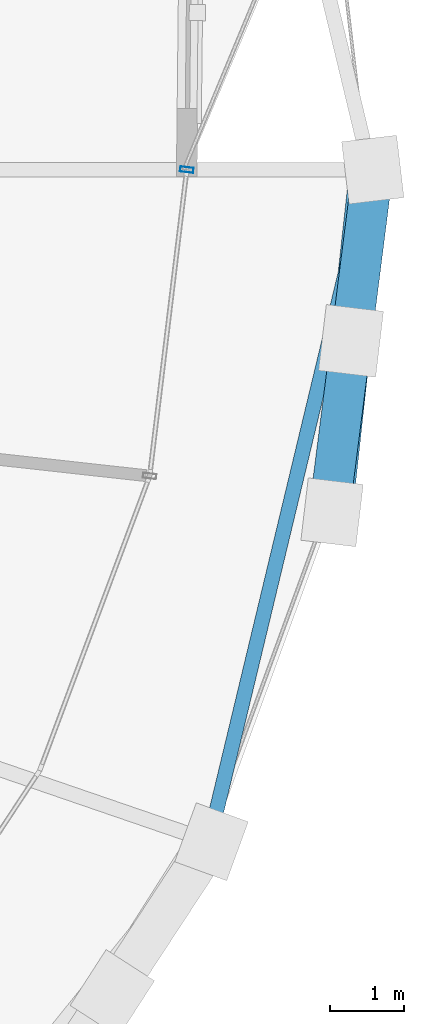
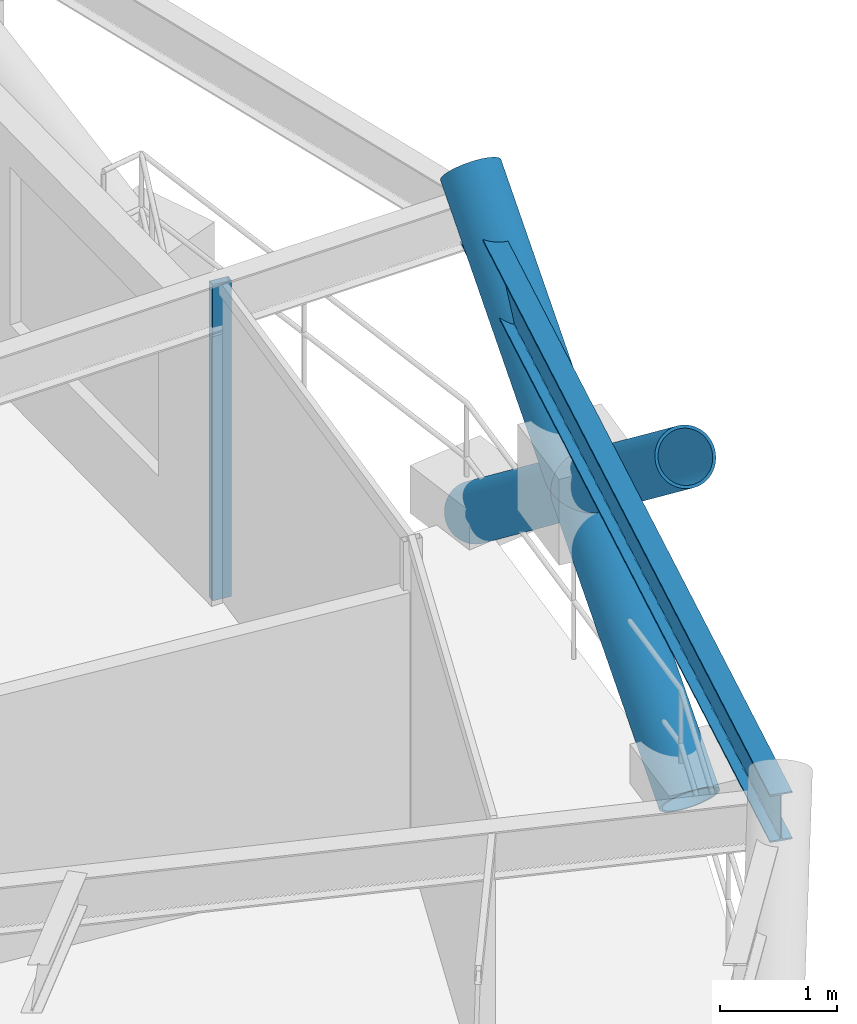
# One storey, part 10 of 20: 4 members, 1 beam, 1 element without a shape of its own.
"""IFC4 building model written with IfcOpenShell, lengths in metres."""

from ifc_helpers import new_model, si_unit, direction, frame, origin, origin_2d, place, context, subcontext, project, spatial, hollow_rectangle, hollow_circle, i_section, extrude, material, layer, layer_set, material_profile, profile_set, type_object, element, aggregate, save


model = new_model("IFC4")

# Units and contexts
model_context = context("Model", 3, precision=1e-05, world=origin(), true_north=direction((0.0, 1.0)))
body_context = subcontext(model_context, "Body", "Model", "MODEL_VIEW")
ifc_project = project(units=[si_unit("LENGTHUNIT", "METRE"), si_unit("AREAUNIT", "SQUARE_METRE"), si_unit("VOLUMEUNIT", "CUBIC_METRE"), si_unit("PLANEANGLEUNIT", "RADIAN"), si_unit("MASSUNIT", "GRAM", prefix="KILO")], contexts=[model_context])

# Site, building, storey
site_placement = place(None, origin())
site = spatial("IfcSite", under=ifc_project, at=site_placement, CompositionType="ELEMENT")
building_placement = place(site_placement, origin())
building = spatial("IfcBuilding", under=site, at=building_placement, Name="Veldorina Hangang Commons", CompositionType="ELEMENT")
storey_placement = place(building_placement, frame((0.0, 0.0, 117.199951171875)))
storey = spatial("IfcBuildingStorey", under=building, at=storey_placement, Name="L29", CompositionType="ELEMENT", Elevation=117.199951171875)

# Beam
ifc_material_1 = material(Name="Steel SM420-TMC", Category="steel")
ifc_material_profile_1 = material_profile(ifc_material_1, i_section(OverallWidth=0.199951171875, OverallDepth=0.5, WebThickness=0.010009765625, FlangeThickness=0.01611328125, FilletRadius=0.01611328125, at=origin_2d()), Name="H-500x200x10x16")
ifc_profile_set_1 = profile_set([ifc_material_profile_1], Name="Steel SM420-TMC")
beam_type = type_object("IfcBeamType", Name="BM-RB500", PredefinedType="BEAM", material=ifc_profile_set_1)
beam_placement = place(storey_placement, frame((58.489990234375, 14.9033203125, 3.10009765625), z_axis=(0.233313728746, 0.972401513768, 0.0), x_axis=(-0.972401513768, 0.233313728746, 0.0)))
element("IfcBeam", 1, at=beam_placement, inside=storey, type_object=beam_type, Name="L29 perimeter hoop ring beam 30", PredefinedType="BEAM", context=body_context, shape_type="SweptSolid", body=[
    extrude(i_section(OverallWidth=0.199951171875, OverallDepth=0.5, WebThickness=0.010009765625, FlangeThickness=0.01611328125, FilletRadius=0.01611328125, at=origin_2d()), origin(), (0.0, 0.0, 1.0), 9.35498046875),
])

# Curtain wall, member
ifc_material_2 = material(Name="Glass Low-E Triple IGU", Category="glass")
ifc_layer = layer(ifc_material_2, 0.179931640625)
ifc_layer_set = layer_set([ifc_layer], Name="Glass Low-E Triple IGU")
curtain_wall_type = type_object("IfcCurtainWallType", Name="CW-SYS-Z2", PredefinedType="NOTDEFINED", material=ifc_layer_set)
curtain_wall_placement = place(storey_placement, origin())
curtain_wall = element("IfcCurtainWall", 2, at=curtain_wall_placement, inside=storey, type_object=curtain_wall_type, Name="L29 unitised curtain wall CW-L29-R2", PredefinedType="NOTDEFINED")
ifc_material_3 = material(Name="Aluminium Anodized AA6063-T6", Category="aluminium")
ifc_material_profile_2 = material_profile(ifc_material_3, hollow_rectangle(XDim=0.070068359375, YDim=0.179931640625, WallThickness=0.00390625, at=origin_2d()), Name="ALU-RHS-180x70x4")
ifc_profile_set_2 = profile_set([ifc_material_profile_2], Name="Aluminium Anodized AA6063-T6")
member_type_1 = type_object("IfcMemberType", Name="CW-MUL-180", PredefinedType="MULLION", material=ifc_profile_set_2)
member_1_placement = place(storey_placement, frame((58.1865234375, 24.0, 0.0), z_axis=(0.0, 0.0, 1.0), x_axis=(-0.120362085236, -0.992730058192, 0.0)))
member_1 = element("IfcMember", 3, at=member_1_placement, type_object=member_type_1, Name="CW-L29-R2 vertical mullion 4", PredefinedType="MULLION", context=body_context, shape_type="SweptSolid", body=[
    extrude(hollow_rectangle(XDim=0.070068359375, YDim=0.179931640625, WallThickness=0.00390625, at=origin_2d()), origin(), (0.0, 0.0, 1.0), 3.31005859375),
])
aggregate(curtain_wall, [member_1])

# Members
ifc_material_profile_3 = material_profile(ifc_material_1, hollow_circle(Radius=0.27490234375, WallThickness=0.028076171875, at=origin_2d()), Name="CHS-550x28")
ifc_profile_set_3 = profile_set([ifc_material_profile_3], Name="Steel SM420-TMC")
member_type_2 = type_object("IfcMemberType", Name="DG-CHS550", PredefinedType="BRACE", material=ifc_profile_set_3)
member_2_placement = place(storey_placement, frame((60.15478515625, 19.35791015625, 0.0), z_axis=(0.08686210357, 0.787224040645, 0.610518865223), x_axis=(-0.993967597023, 0.109674135824, 0.0)))
element("IfcMember", 4, at=member_2_placement, inside=storey, type_object=member_type_2, Name="L29 continuous perimeter diagrid brace 31", PredefinedType="BRACE", context=body_context, shape_type="SweptSolid", body=[
    extrude(hollow_circle(Radius=0.27490234375, WallThickness=0.028076171875, at=origin_2d()), origin(), (0.0, 0.0, 1.0), 5.896728515625),
])
member_3_placement = place(storey_placement, frame((60.70654296875, 24.0, 0.0), z_axis=(-0.100082752357, -0.785856388547, 0.610256650321), x_axis=(0.991987684971, -0.126334606759, 0.0)))
element("IfcMember", 5, at=member_3_placement, inside=storey, type_object=member_type_2, Name="L29 split perimeter diagrid lower brace 00", PredefinedType="BRACE", context=body_context, shape_type="SweptSolid", body=[
    extrude(hollow_circle(Radius=0.27490234375, WallThickness=0.028076171875, at=origin_2d()), origin(), (0.0, 0.0, 1.0), 2.95166015625),
])
member_4_placement = place(storey_placement, frame((60.4111328125, 21.680419921875, 1.80126953125), z_axis=(-0.100034497896, -0.785949850608, 0.610144189156), x_axis=(0.991997197682, -0.126259889875, 0.0)))
element("IfcMember", 6, at=member_4_placement, inside=storey, type_object=member_type_2, Name="L29 split perimeter diagrid upper brace 00", PredefinedType="BRACE", context=body_context, shape_type="SweptSolid", body=[
    extrude(hollow_circle(Radius=0.27490234375, WallThickness=0.028076171875, at=origin_2d()), origin(), (0.0, 0.0, 1.0), 2.9482421875),
])

save(model, "model.ifc")
